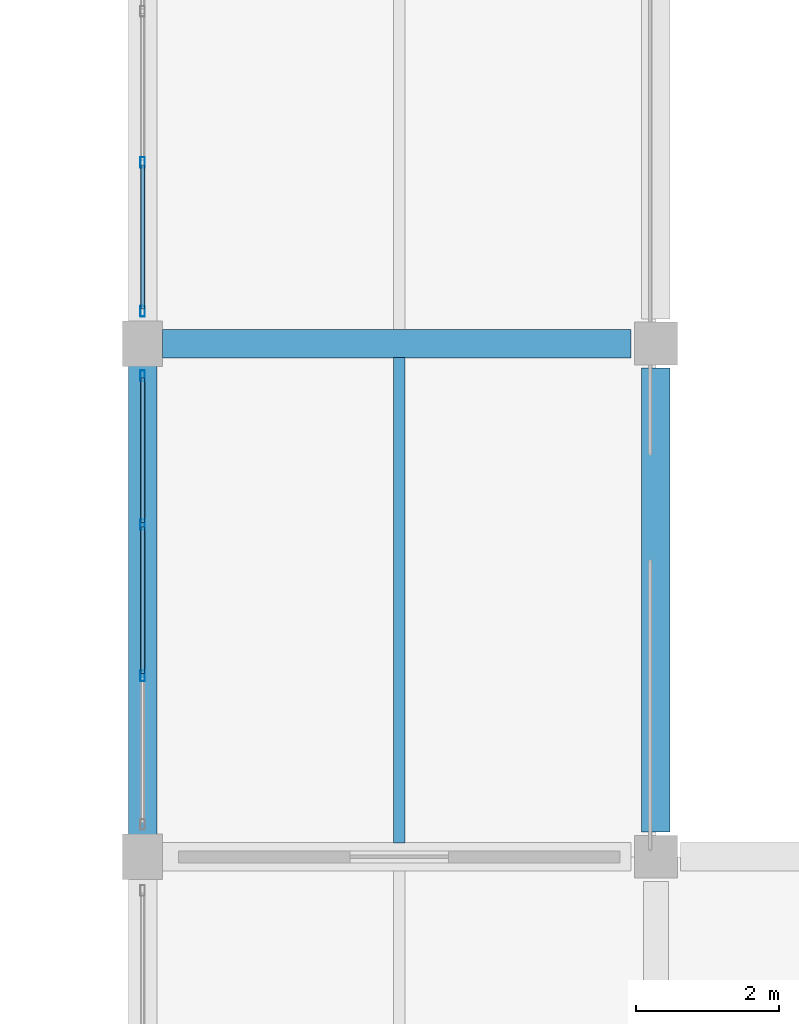
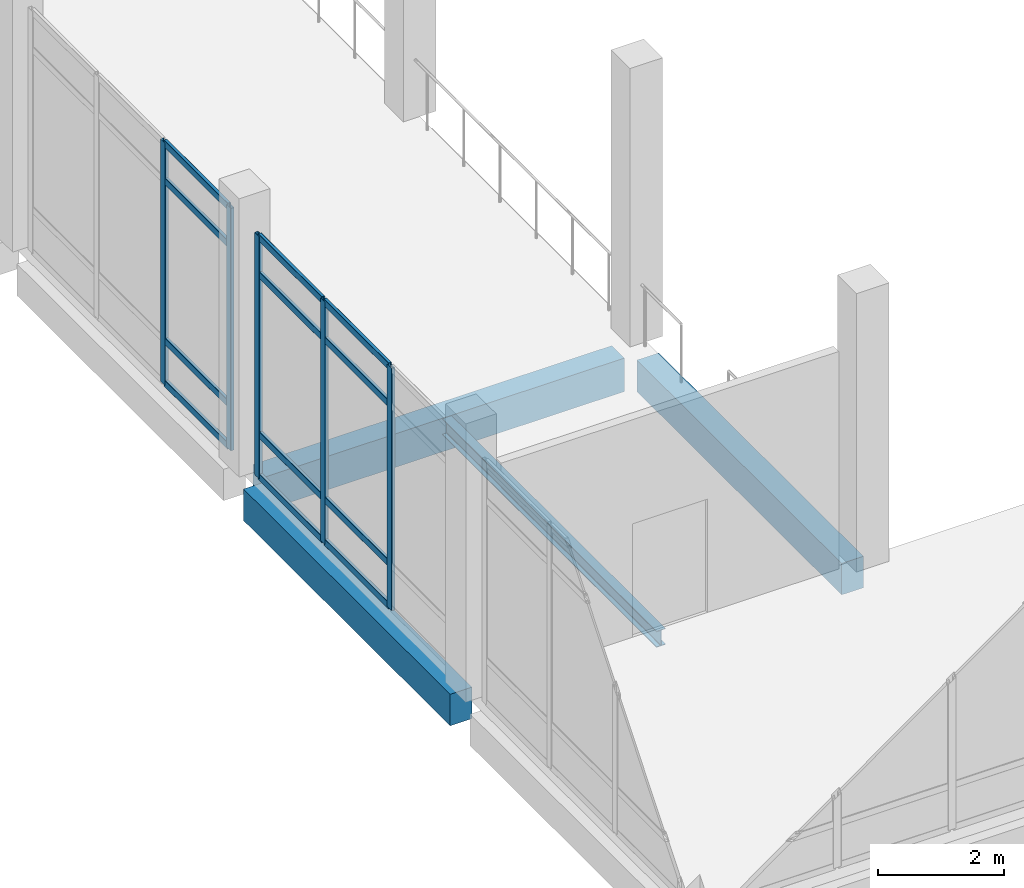
# One storey, part 108 of 180: 17 members, 4 beams, 2 elements without a shape of their own.
"""IFC4 building model written with IfcOpenShell, lengths in metres."""

from ifc_helpers import new_model, si_unit, direction, frame, origin, origin_2d, place, context, subcontext, project, spatial, rectangle, hollow_rectangle, i_section, extrude, material, material_profile, profile_set, type_object, element, aggregate, save


model = new_model("IFC4")

# Units and contexts
model_context = context("Model", 3, precision=1e-05, world=origin(), true_north=direction((0.0, 1.0)))
body_context = subcontext(model_context, "Body", "Model", "MODEL_VIEW")
ifc_project = project(units=[si_unit("LENGTHUNIT", "METRE"), si_unit("AREAUNIT", "SQUARE_METRE"), si_unit("VOLUMEUNIT", "CUBIC_METRE"), si_unit("PLANEANGLEUNIT", "RADIAN"), si_unit("MASSUNIT", "GRAM", prefix="KILO")], contexts=[model_context])

# Site, building, storey
site_placement = place(None, origin())
site = spatial("IfcSite", under=ifc_project, at=site_placement, CompositionType="ELEMENT")
building_placement = place(site_placement, origin())
building = spatial("IfcBuilding", under=site, at=building_placement, Name="Lusvemor Sports Hall", CompositionType="ELEMENT")
storey_placement = place(building_placement, frame((0.0, 0.0, 5.39990234375)))
storey = spatial("IfcBuildingStorey", under=building, at=storey_placement, Name="L01", CompositionType="ELEMENT", Elevation=5.39990234375)

# Beam
ifc_material_1 = material(Name="Concrete C40/50", Category="concrete")
ifc_material_profile_1 = material_profile(ifc_material_1, rectangle(XDim=0.39990234375, YDim=0.64990234375, at=origin_2d()), Name="RC400x650")
ifc_profile_set_1 = profile_set([ifc_material_profile_1], Name="Concrete C40/50")
beam_type_1 = type_object("IfcBeamType", Name="BEAM_RC_650", PredefinedType="BEAM", material=ifc_profile_set_1)
beam_1_placement = place(storey_placement, frame((133.47607421875, 54.0, -0.5849609375), z_axis=(1.0, 0.0, 0.0), x_axis=(0.0, 1.0, 0.0)))
element("IfcBeam", 1, at=beam_1_placement, inside=storey, type_object=beam_type_1, Name="Beam L01 G:15-16", PredefinedType="BEAM", context=body_context, shape_type="SweptSolid", body=[
    extrude(rectangle(XDim=0.39990234375, YDim=0.64990234375, at=origin_2d()), origin(), (0.0, 0.0, 1.0), 6.577880859375),
])

# Curtain wall, members
ifc_material_2 = material(Name="Thermally broken bronze-anodized aluminium", Category="aluminium")
curtain_wall_type = type_object("IfcCurtainWallType", Name="CW_CLIMB_D", PredefinedType="NOTDEFINED", material=ifc_material_2)
curtain_wall_1_placement = place(storey_placement, origin())
curtain_wall_1 = element("IfcCurtainWall", 2, at=curtain_wall_1_placement, inside=storey, type_object=curtain_wall_type, Name="Curtain Wall CW-V3W-L01-0", PredefinedType="NOTDEFINED")
ifc_material_3 = material(Name="Thermally broken bronze-anodized aluminium", Category="aluminium")
ifc_material_profile_2 = material_profile(ifc_material_3, hollow_rectangle(XDim=0.06494140625, YDim=0.14990234375, WallThickness=0.00390625, InnerFilletRadius=0.00390625, OuterFilletRadius=0.008056640625, at=origin_2d()), Name="CWMUL150x65x4")
ifc_profile_set_2 = profile_set([ifc_material_profile_2], Name="Thermally broken bronze-anodized aluminium")
member_type_1 = type_object("IfcMemberType", Name="CW_MUL_B", PredefinedType="MULLION", material=ifc_profile_set_2)
member_1_placement = place(storey_placement, frame((133.199951171875, 49.340087890625, 0.0), z_axis=(0.0, 0.0, 1.0), x_axis=(-1.0, 0.0, 0.0)))
member_1 = element("IfcMember", 3, at=member_1_placement, type_object=member_type_1, Name="CW04 mullion 2", PredefinedType="MULLION", context=body_context, shape_type="SweptSolid", body=[
    extrude(hollow_rectangle(XDim=0.06494140625, YDim=0.14990234375, WallThickness=0.00390625, InnerFilletRadius=0.00390625, OuterFilletRadius=0.008056640625, at=origin_2d()), origin(), (0.0, 0.0, 1.0), 4.7001953125),
])
member_2_placement = place(storey_placement, frame((133.199951171875, 51.4599609375, 0.0), z_axis=(0.0, 0.0, 1.0), x_axis=(-1.0, 0.0, 0.0)))
member_2 = element("IfcMember", 4, at=member_2_placement, type_object=member_type_1, Name="CW04 mullion 3", PredefinedType="MULLION", context=body_context, shape_type="SweptSolid", body=[
    extrude(hollow_rectangle(XDim=0.06494140625, YDim=0.14990234375, WallThickness=0.00390625, InnerFilletRadius=0.00390625, OuterFilletRadius=0.008056640625, at=origin_2d()), origin(), (0.0, 0.0, 1.0), 4.7001953125),
])
member_3_placement = place(storey_placement, frame((133.199951171875, 53.547607421875, 0.0), z_axis=(0.0, 0.0, 1.0), x_axis=(-1.0, 0.0, 0.0)))
member_3 = element("IfcMember", 5, at=member_3_placement, type_object=member_type_1, Name="CW04 mullion 4", PredefinedType="MULLION", context=body_context, shape_type="SweptSolid", body=[
    extrude(hollow_rectangle(XDim=0.06494140625, YDim=0.14990234375, WallThickness=0.00390625, InnerFilletRadius=0.00390625, OuterFilletRadius=0.008056640625, at=origin_2d()), origin(), (0.0, 0.0, 1.0), 4.7001953125),
])

curtain_wall_2_placement = place(storey_placement, origin())
curtain_wall_2 = element("IfcCurtainWall", 6, at=curtain_wall_2_placement, inside=storey, type_object=curtain_wall_type, Name="Curtain Wall CW-V3W-L01-1", PredefinedType="NOTDEFINED")
member_4_placement = place(storey_placement, frame((133.199951171875, 54.452392578125, 0.0), z_axis=(0.0, 0.0, 1.0), x_axis=(-1.0, 0.0, 0.0)))
member_4 = element("IfcMember", 7, at=member_4_placement, type_object=member_type_1, Name="CW04 mullion 1", PredefinedType="MULLION", context=body_context, shape_type="SweptSolid", body=[
    extrude(hollow_rectangle(XDim=0.06494140625, YDim=0.14990234375, WallThickness=0.00390625, InnerFilletRadius=0.00390625, OuterFilletRadius=0.008056640625, at=origin_2d()), origin(), (0.0, 0.0, 1.0), 4.7001953125),
])
member_5_placement = place(storey_placement, frame((133.199951171875, 56.5400390625, 0.0), z_axis=(0.0, 0.0, 1.0), x_axis=(-1.0, 0.0, 0.0)))
member_5 = element("IfcMember", 8, at=member_5_placement, type_object=member_type_1, Name="CW04 mullion 2", PredefinedType="MULLION", context=body_context, shape_type="SweptSolid", body=[
    extrude(hollow_rectangle(XDim=0.06494140625, YDim=0.14990234375, WallThickness=0.00390625, InnerFilletRadius=0.00390625, OuterFilletRadius=0.008056640625, at=origin_2d()), origin(), (0.0, 0.0, 1.0), 4.7001953125),
])

# Member
ifc_material_4 = material(Name="Thermally broken bronze-anodized aluminium", Category="aluminium")
ifc_material_profile_3 = material_profile(ifc_material_4, hollow_rectangle(XDim=0.06005859375, YDim=0.135009765625, WallThickness=0.00390625, InnerFilletRadius=0.00390625, OuterFilletRadius=0.008056640625, at=origin_2d()), Name="CWTRN135x60x4")
ifc_profile_set_3 = profile_set([ifc_material_profile_3], Name="Thermally broken bronze-anodized aluminium")
member_type_2 = type_object("IfcMemberType", Name="CW_TRN_B", PredefinedType="USERDEFINED", material=ifc_profile_set_3)
member_6_placement = place(storey_placement, frame((133.199951171875, 49.37255859375, 0.030029296875), z_axis=(0.0, 1.0, 0.0), x_axis=(-1.0, 0.0, 0.0)))
member_6 = element("IfcMember", 9, at=member_6_placement, type_object=member_type_2, Name="CW04 transom 2.1", ObjectType="TRANSOM", PredefinedType="USERDEFINED", context=body_context, shape_type="SweptSolid", body=[
    extrude(hollow_rectangle(XDim=0.06005859375, YDim=0.135009765625, WallThickness=0.00390625, InnerFilletRadius=0.00390625, OuterFilletRadius=0.008056640625, at=origin_2d()), origin(), (0.0, 0.0, 1.0), 2.054931640625),
])

member_7_placement = place(storey_placement, frame((133.199951171875, 49.37255859375, 0.85009765625), z_axis=(0.0, 1.0, 0.0), x_axis=(-1.0, 0.0, 0.0)))
member_7 = element("IfcMember", 10, at=member_7_placement, type_object=member_type_2, Name="CW04 transom 2.2", ObjectType="TRANSOM", PredefinedType="USERDEFINED", context=body_context, shape_type="SweptSolid", body=[
    extrude(hollow_rectangle(XDim=0.06005859375, YDim=0.135009765625, WallThickness=0.00390625, InnerFilletRadius=0.00390625, OuterFilletRadius=0.008056640625, at=origin_2d()), origin(), (0.0, 0.0, 1.0), 2.054931640625),
])

member_8_placement = place(storey_placement, frame((133.199951171875, 49.37255859375, 3.9501953125), z_axis=(0.0, 1.0, 0.0), x_axis=(-1.0, 0.0, 0.0)))
member_8 = element("IfcMember", 11, at=member_8_placement, type_object=member_type_2, Name="CW04 transom 2.3", ObjectType="TRANSOM", PredefinedType="USERDEFINED", context=body_context, shape_type="SweptSolid", body=[
    extrude(hollow_rectangle(XDim=0.06005859375, YDim=0.135009765625, WallThickness=0.00390625, InnerFilletRadius=0.00390625, OuterFilletRadius=0.008056640625, at=origin_2d()), origin(), (0.0, 0.0, 1.0), 2.054931640625),
])

member_9_placement = place(storey_placement, frame((133.199951171875, 49.37255859375, 4.670166015625), z_axis=(0.0, 1.0, 0.0), x_axis=(-1.0, 0.0, 0.0)))
member_9 = element("IfcMember", 12, at=member_9_placement, type_object=member_type_2, Name="CW04 transom 2.4", ObjectType="TRANSOM", PredefinedType="USERDEFINED", context=body_context, shape_type="SweptSolid", body=[
    extrude(hollow_rectangle(XDim=0.06005859375, YDim=0.135009765625, WallThickness=0.00390625, InnerFilletRadius=0.00390625, OuterFilletRadius=0.008056640625, at=origin_2d()), origin(), (0.0, 0.0, 1.0), 2.054931640625),
])

member_10_placement = place(storey_placement, frame((133.199951171875, 51.492431640625, 0.030029296875), z_axis=(0.0, 1.0, 0.0), x_axis=(-1.0, 0.0, 0.0)))
member_10 = element("IfcMember", 13, at=member_10_placement, type_object=member_type_2, Name="CW04 transom 3.1", ObjectType="TRANSOM", PredefinedType="USERDEFINED", context=body_context, shape_type="SweptSolid", body=[
    extrude(hollow_rectangle(XDim=0.06005859375, YDim=0.135009765625, WallThickness=0.00390625, InnerFilletRadius=0.00390625, OuterFilletRadius=0.008056640625, at=origin_2d()), origin(), (0.0, 0.0, 1.0), 2.0224609375),
])

member_11_placement = place(storey_placement, frame((133.199951171875, 51.492431640625, 0.85009765625), z_axis=(0.0, 1.0, 0.0), x_axis=(-1.0, 0.0, 0.0)))
member_11 = element("IfcMember", 14, at=member_11_placement, type_object=member_type_2, Name="CW04 transom 3.2", ObjectType="TRANSOM", PredefinedType="USERDEFINED", context=body_context, shape_type="SweptSolid", body=[
    extrude(hollow_rectangle(XDim=0.06005859375, YDim=0.135009765625, WallThickness=0.00390625, InnerFilletRadius=0.00390625, OuterFilletRadius=0.008056640625, at=origin_2d()), origin(), (0.0, 0.0, 1.0), 2.0224609375),
])

member_12_placement = place(storey_placement, frame((133.199951171875, 51.492431640625, 3.9501953125), z_axis=(0.0, 1.0, 0.0), x_axis=(-1.0, 0.0, 0.0)))
member_12 = element("IfcMember", 15, at=member_12_placement, type_object=member_type_2, Name="CW04 transom 3.3", ObjectType="TRANSOM", PredefinedType="USERDEFINED", context=body_context, shape_type="SweptSolid", body=[
    extrude(hollow_rectangle(XDim=0.06005859375, YDim=0.135009765625, WallThickness=0.00390625, InnerFilletRadius=0.00390625, OuterFilletRadius=0.008056640625, at=origin_2d()), origin(), (0.0, 0.0, 1.0), 2.0224609375),
])

member_13_placement = place(storey_placement, frame((133.199951171875, 51.492431640625, 4.670166015625), z_axis=(0.0, 1.0, 0.0), x_axis=(-1.0, 0.0, 0.0)))
member_13 = element("IfcMember", 16, at=member_13_placement, type_object=member_type_2, Name="CW04 transom 3.4", ObjectType="TRANSOM", PredefinedType="USERDEFINED", context=body_context, shape_type="SweptSolid", body=[
    extrude(hollow_rectangle(XDim=0.06005859375, YDim=0.135009765625, WallThickness=0.00390625, InnerFilletRadius=0.00390625, OuterFilletRadius=0.008056640625, at=origin_2d()), origin(), (0.0, 0.0, 1.0), 2.0224609375),
])

aggregate(curtain_wall_1, [member_1, member_2, member_3, member_6, member_7, member_8, member_9, member_10, member_11, member_12, member_13])

member_14_placement = place(storey_placement, frame((133.199951171875, 54.485107421875, 0.030029296875), z_axis=(0.0, 1.0, 0.0), x_axis=(-1.0, 0.0, 0.0)))
member_14 = element("IfcMember", 17, at=member_14_placement, type_object=member_type_2, Name="CW04 transom 1.1", ObjectType="TRANSOM", PredefinedType="USERDEFINED", context=body_context, shape_type="SweptSolid", body=[
    extrude(hollow_rectangle(XDim=0.06005859375, YDim=0.135009765625, WallThickness=0.00390625, InnerFilletRadius=0.00390625, OuterFilletRadius=0.008056640625, at=origin_2d()), origin(), (0.0, 0.0, 1.0), 2.0224609375),
])

member_15_placement = place(storey_placement, frame((133.199951171875, 54.485107421875, 0.85009765625), z_axis=(0.0, 1.0, 0.0), x_axis=(-1.0, 0.0, 0.0)))
member_15 = element("IfcMember", 18, at=member_15_placement, type_object=member_type_2, Name="CW04 transom 1.2", ObjectType="TRANSOM", PredefinedType="USERDEFINED", context=body_context, shape_type="SweptSolid", body=[
    extrude(hollow_rectangle(XDim=0.06005859375, YDim=0.135009765625, WallThickness=0.00390625, InnerFilletRadius=0.00390625, OuterFilletRadius=0.008056640625, at=origin_2d()), origin(), (0.0, 0.0, 1.0), 2.0224609375),
])

member_16_placement = place(storey_placement, frame((133.199951171875, 54.485107421875, 3.9501953125), z_axis=(0.0, 1.0, 0.0), x_axis=(-1.0, 0.0, 0.0)))
member_16 = element("IfcMember", 19, at=member_16_placement, type_object=member_type_2, Name="CW04 transom 1.3", ObjectType="TRANSOM", PredefinedType="USERDEFINED", context=body_context, shape_type="SweptSolid", body=[
    extrude(hollow_rectangle(XDim=0.06005859375, YDim=0.135009765625, WallThickness=0.00390625, InnerFilletRadius=0.00390625, OuterFilletRadius=0.008056640625, at=origin_2d()), origin(), (0.0, 0.0, 1.0), 2.0224609375),
])

member_17_placement = place(storey_placement, frame((133.199951171875, 54.485107421875, 4.670166015625), z_axis=(0.0, 1.0, 0.0), x_axis=(-1.0, 0.0, 0.0)))
member_17 = element("IfcMember", 20, at=member_17_placement, type_object=member_type_2, Name="CW04 transom 1.4", ObjectType="TRANSOM", PredefinedType="USERDEFINED", context=body_context, shape_type="SweptSolid", body=[
    extrude(hollow_rectangle(XDim=0.06005859375, YDim=0.135009765625, WallThickness=0.00390625, InnerFilletRadius=0.00390625, OuterFilletRadius=0.008056640625, at=origin_2d()), origin(), (0.0, 0.0, 1.0), 2.0224609375),
])

aggregate(curtain_wall_2, [member_4, member_5, member_14, member_15, member_16, member_17])

# Beams
ifc_material_5 = material(Name="Steel S355", Category="steel")
ifc_material_profile_4 = material_profile(ifc_material_5, i_section(OverallWidth=0.1669921875, OverallDepth=0.31689453125, WebThickness=0.007568359375, FlangeThickness=0.01318359375, FilletRadius=0.014892578125, at=origin_2d()), Name="W310x52.0")
ifc_profile_set_4 = profile_set([ifc_material_profile_4], Name="Steel S355")
beam_type_2 = type_object("IfcBeamType", Name="JOIST_ST_310M", PredefinedType="JOIST", material=ifc_profile_set_4)
beam_2_placement = place(storey_placement, frame((136.800048828125, 46.99609375, -0.42236328125), z_axis=(0.0, 1.0, 0.0), x_axis=(-1.0, 0.0, 0.0)))
element("IfcBeam", 21, at=beam_2_placement, inside=storey, type_object=beam_type_2, Name="Secondary Joist L01 15-16/F-G #1", PredefinedType="JOIST", context=body_context, shape_type="SweptSolid", body=[
    extrude(i_section(OverallWidth=0.1669921875, OverallDepth=0.31689453125, WebThickness=0.007568359375, FlangeThickness=0.01318359375, FilletRadius=0.014892578125, at=origin_2d()), origin(), (0.0, 0.0, 1.0), 6.807861328125),
])
ifc_material_6 = material(Name="Concrete C40/50", Category="concrete")
ifc_material_profile_5 = material_profile(ifc_material_6, rectangle(XDim=0.39990234375, YDim=0.610107421875, at=origin_2d()), Name="RC400x610")
ifc_profile_set_5 = profile_set([ifc_material_profile_5], Name="Concrete C40/50")
beam_type_3 = type_object("IfcBeamType", Name="SPAND_EXT_650", PredefinedType="SPANDREL", material=ifc_profile_set_5)
beam_3_placement = place(storey_placement, frame((133.199951171875, 47.115966796875, -0.56494140625), z_axis=(0.0, 1.0, 0.0), x_axis=(-1.0, 0.0, 0.0)))
element("IfcBeam", 22, at=beam_3_placement, inside=storey, type_object=beam_type_3, Name="Beam L01 15:F-G", PredefinedType="SPANDREL", context=body_context, shape_type="SweptSolid", body=[
    extrude(rectangle(XDim=0.39990234375, YDim=0.610107421875, at=origin_2d()), origin(), (0.0, 0.0, 1.0), 6.568115234375),
])
beam_4_placement = place(storey_placement, frame((140.39990234375, 47.14599609375, -0.56494140625), z_axis=(0.0, 1.0, 0.0), x_axis=(-1.0, 0.0, 0.0)))
element("IfcBeam", 23, at=beam_4_placement, inside=storey, type_object=beam_type_3, Name="Beam L01 16:F-G", PredefinedType="SPANDREL", context=body_context, shape_type="SweptSolid", body=[
    extrude(rectangle(XDim=0.39990234375, YDim=0.610107421875, at=origin_2d()), origin(), (0.0, 0.0, 1.0), 6.508056640625),
])

save(model, "model.ifc")
